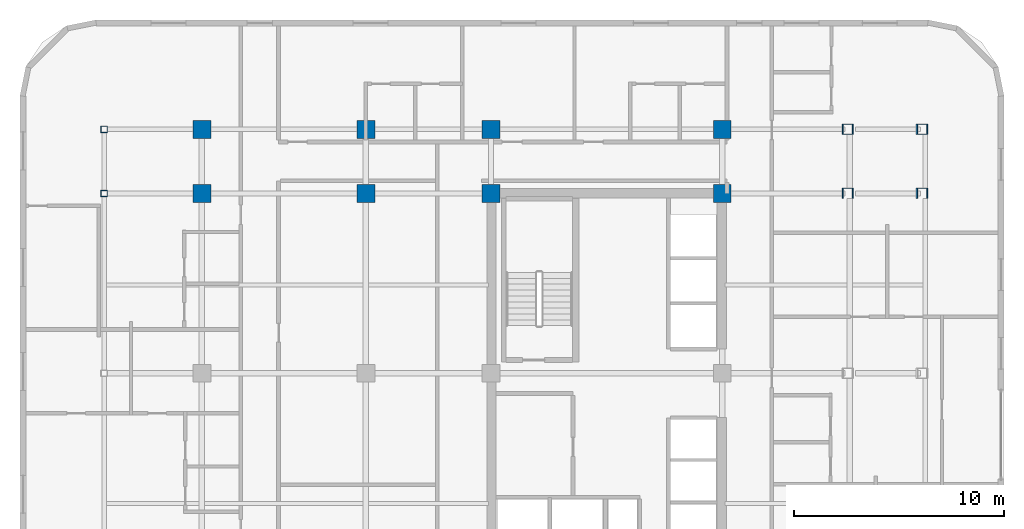
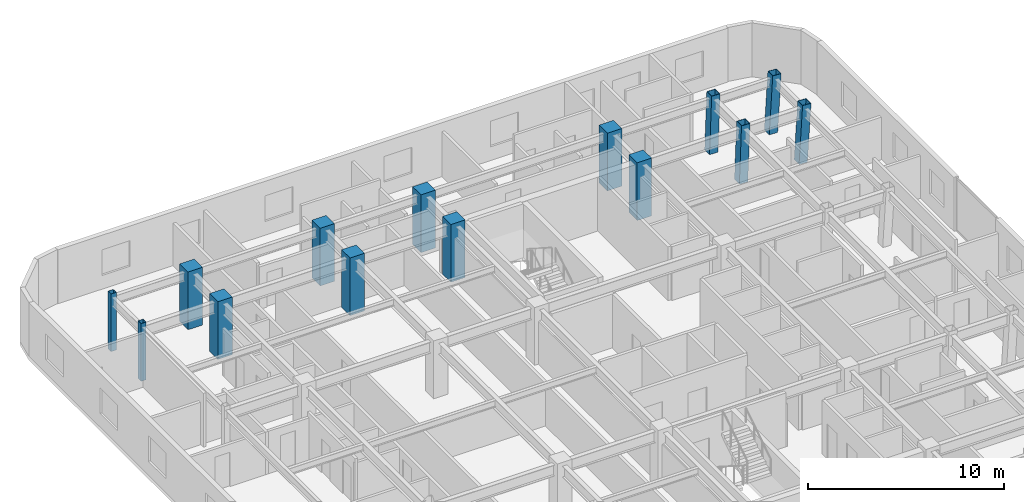
# One storey, part 3 of 13: 14 columns.
"""IFC4 building model written with IfcOpenShell, lengths in metres."""

from ifc_helpers import new_model, si_unit, direction, frame, origin, origin_2d, place, context, subcontext, project, spatial, rectangle, hollow_rectangle, extrude, material, material_profile, profile_set, type_object, element, save


model = new_model("IFC4")

# Units and contexts
model_context = context("Model", 3, precision=1e-05, world=origin(), true_north=direction((0.0, 1.0)))
body_context = subcontext(model_context, "Body", "Model", "MODEL_VIEW")
ifc_project = project(units=[si_unit("LENGTHUNIT", "METRE"), si_unit("AREAUNIT", "SQUARE_METRE"), si_unit("VOLUMEUNIT", "CUBIC_METRE"), si_unit("PLANEANGLEUNIT", "RADIAN"), si_unit("MASSUNIT", "GRAM", prefix="KILO")], contexts=[model_context])

# Site, building, storey
site_placement = place(None, origin())
site = spatial("IfcSite", under=ifc_project, at=site_placement, CompositionType="ELEMENT")
building_placement = place(site_placement, origin())
building = spatial("IfcBuilding", under=site, at=building_placement, Name="Ochreholt Gables", CompositionType="ELEMENT")
storey_placement = place(building_placement, frame((0.0, 0.0, 34.800048828125)))
storey = spatial("IfcBuildingStorey", under=building, at=storey_placement, Name="L08", CompositionType="ELEMENT", Elevation=34.800048828125)

# Columns
ifc_material_1 = material(Name="Steel CSA G40.21 350W", Category="steel")
ifc_material_profile_1 = material_profile(ifc_material_1, hollow_rectangle(XDim=0.304931640625, YDim=0.304931640625, WallThickness=0.0126953125, at=origin_2d()), Name="HSS305X305X13")
ifc_profile_set_1 = profile_set([ifc_material_profile_1], Name="Steel CSA G40.21 350W")
column_type_1 = type_object("IfcColumnType", Name="COL-HSS305-EXT", PredefinedType="COLUMN", material=ifc_profile_set_1)
for number, where, z_axis, x_axis, name in (
    (1, (5.800048828125, 38.75, 0.0), (0.0, 0.0, 1.0), (1.0, 0.0, 0.0), "L08 Column WTY5"),
    (2, (5.800048828125, 41.800048828125, 0.0), (0.0, 0.0, 1.0), (1.0, 0.0, 0.0), "L08 Column WTY6"),
):
    element("IfcColumn", number, at=place(storey_placement, frame(where, z_axis=z_axis, x_axis=x_axis)), inside=storey, type_object=column_type_1, Name=name, PredefinedType="COLUMN", context=body_context, shape_type="SweptSolid", body=[
        extrude(hollow_rectangle(XDim=0.304931640625, YDim=0.304931640625, WallThickness=0.0126953125, at=origin_2d()), origin(), (0.0, 0.0, 1.0), 3.599853515625),
    ])
ifc_material_profile_2 = material_profile(ifc_material_1, hollow_rectangle(XDim=0.5, YDim=0.5, WallThickness=0.02197265625, at=origin_2d()), Name="HSS500X500X22")
ifc_profile_set_2 = profile_set([ifc_material_profile_2], Name="Steel CSA G40.21 350W")
column_type_2 = type_object("IfcColumnType", Name="COL-HSS500-RAK", PredefinedType="COLUMN", material=ifc_profile_set_2)
column_1_placement = place(storey_placement, frame((41.154052734375, 38.75, 0.0), z_axis=(0.034973505036, 0.0, 0.999388239847), x_axis=(0.0, 1.0, 0.0)))
element("IfcColumn", 3, at=column_1_placement, inside=storey, type_object=column_type_2, Name="L08 Column EMY5", PredefinedType="COLUMN", context=body_context, shape_type="SweptSolid", body=[
    extrude(hollow_rectangle(XDim=0.5, YDim=0.5, WallThickness=0.02197265625, at=origin_2d()), origin(), (0.0, 0.0, 1.0), 3.60205078125),
])
ifc_material_profile_3 = material_profile(ifc_material_1, hollow_rectangle(XDim=0.5, YDim=0.5, WallThickness=0.02197265625, at=origin_2d()), Name="HSS500X500X22")
ifc_profile_set_3 = profile_set([ifc_material_profile_3], Name="Steel CSA G40.21 350W")
column_type_3 = type_object("IfcColumnType", Name="COL-HSS500-RAKE", PredefinedType="COLUMN", material=ifc_profile_set_3)
column_2_placement = place(storey_placement, frame((41.154052734375, 41.800048828125, 0.0), z_axis=(0.034973505036, 0.0, 0.999388239847), x_axis=(0.0, 1.0, 0.0)))
element("IfcColumn", 4, at=column_2_placement, inside=storey, type_object=column_type_3, Name="L08 Column EMY6", PredefinedType="COLUMN", context=body_context, shape_type="SweptSolid", body=[
    extrude(hollow_rectangle(XDim=0.5, YDim=0.5, WallThickness=0.02197265625, at=origin_2d()), origin(), (0.0, 0.0, 1.0), 3.60205078125),
])
for number, where, z_axis, x_axis, name in (
    (5, (44.67529296875, 38.75, 0.0), (0.057888518877, 0.0, 0.998323053617), (0.0, 1.0, 0.0), "L08 Column EEY5"),
    (6, (44.67529296875, 41.800048828125, 0.0), (0.057888518877, 0.0, 0.998323053617), (0.0, 1.0, 0.0), "L08 Column EEY6"),
):
    element("IfcColumn", number, at=place(storey_placement, frame(where, z_axis=z_axis, x_axis=x_axis)), inside=storey, type_object=column_type_3, Name=name, PredefinedType="COLUMN", context=body_context, shape_type="SweptSolid", body=[
        extrude(hollow_rectangle(XDim=0.5, YDim=0.5, WallThickness=0.02197265625, at=origin_2d()), origin(), (0.0, 0.0, 1.0), 3.60595703125),
    ])
ifc_material_2 = material(Name="Concrete 60 MPa", Category="concrete")
ifc_material_profile_4 = material_profile(ifc_material_2, rectangle(XDim=0.85009765625, YDim=0.85009765625, at=origin_2d()), Name="RC850X850")
ifc_profile_set_4 = profile_set([ifc_material_profile_4], Name="Concrete 60 MPa")
column_type_4 = type_object("IfcColumnType", Name="COL-RC850-EXT", PredefinedType="COLUMN", material=ifc_profile_set_4)
for number, where, z_axis, x_axis, name in (
    (7, (10.449951171875, 41.800048828125, 0.0), (0.0, 0.0, 1.0), (1.0, 0.0, 0.0), "L08 Column W2Y6"),
    (8, (18.25, 41.800048828125, 0.0), (0.0, 0.0, 1.0), (1.0, 0.0, 0.0), "L08 Column W3Y6"),
    (9, (24.199951171875, 41.800048828125, 0.0), (0.0, 0.0, 1.0), (1.0, 0.0, 0.0), "L08 Column C1Y6"),
    (10, (35.199951171875, 41.800048828125, 0.0), (0.0, 0.0, 1.0), (1.0, 0.0, 0.0), "L08 Column C2Y6"),
):
    element("IfcColumn", number, at=place(storey_placement, frame(where, z_axis=z_axis, x_axis=x_axis)), inside=storey, type_object=column_type_4, Name=name, PredefinedType="COLUMN", context=body_context, shape_type="SweptSolid", body=[
        extrude(rectangle(XDim=0.85009765625, YDim=0.85009765625, at=origin_2d()), origin(), (0.0, 0.0, 1.0), 3.599853515625),
    ])
ifc_material_profile_5 = material_profile(ifc_material_2, rectangle(XDim=0.85009765625, YDim=0.85009765625, at=origin_2d()), Name="RC850X850")
ifc_profile_set_5 = profile_set([ifc_material_profile_5], Name="Concrete 60 MPa")
column_type_5 = type_object("IfcColumnType", Name="COL-RC850-INT", PredefinedType="COLUMN", material=ifc_profile_set_5)
for number, where, z_axis, x_axis, name in (
    (11, (10.449951171875, 38.75, 0.0), (0.0, 0.0, 1.0), (1.0, 0.0, 0.0), "L08 Column W2Y5"),
    (12, (18.25, 38.75, 0.0), (0.0, 0.0, 1.0), (1.0, 0.0, 0.0), "L08 Column W3Y5"),
    (13, (24.199951171875, 38.75, 0.0), (0.0, 0.0, 1.0), (1.0, 0.0, 0.0), "L08 Column C1Y5"),
    (14, (35.199951171875, 38.75, 0.0), (0.0, 0.0, 1.0), (1.0, 0.0, 0.0), "L08 Column C2Y5"),
):
    element("IfcColumn", number, at=place(storey_placement, frame(where, z_axis=z_axis, x_axis=x_axis)), inside=storey, type_object=column_type_5, Name=name, PredefinedType="COLUMN", context=body_context, shape_type="SweptSolid", body=[
        extrude(rectangle(XDim=0.85009765625, YDim=0.85009765625, at=origin_2d()), origin(), (0.0, 0.0, 1.0), 3.599853515625),
    ])

save(model, "model.ifc")
